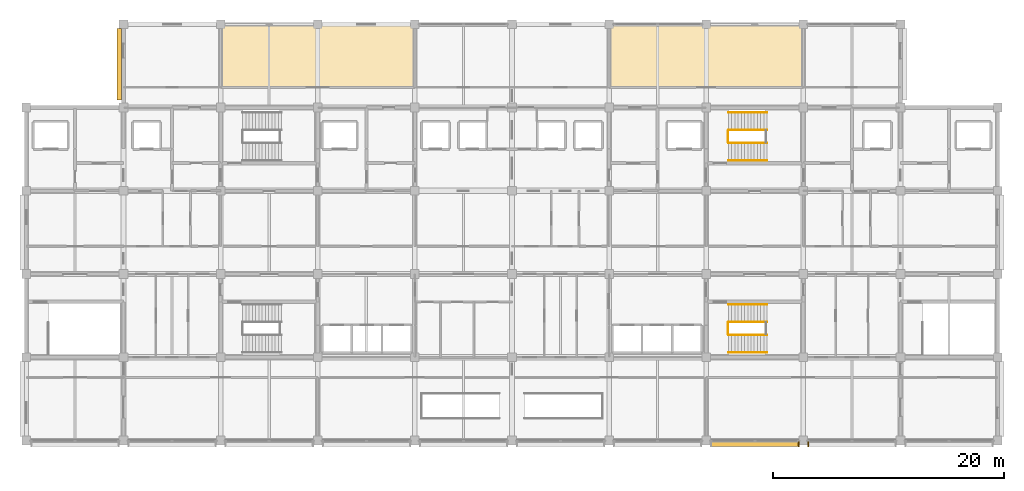
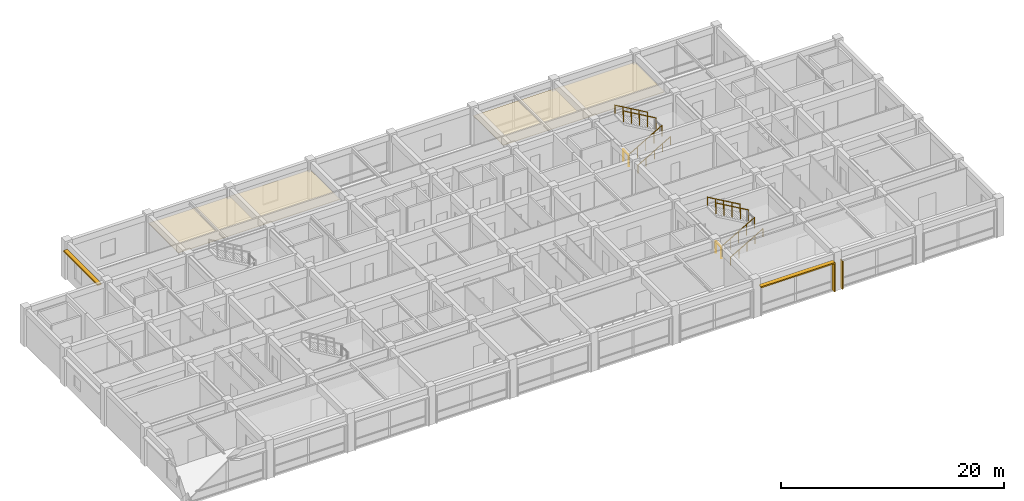
# One storey, part 22 of 23: 10 railings, 4 shading devices, 2 coverings.
"""IFC4 building model written with IfcOpenShell, lengths in metres."""

from ifc_helpers import new_model, si_unit, direction, frame, origin, origin_2d, place, context, subcontext, project, spatial, polyline, rectangle, circle, outline, extrude, material, layer, layer_set, type_object, element, save


model = new_model("IFC4")

# Units and contexts
model_context = context("Model", 3, precision=1e-05, world=origin(), true_north=direction((0.0, 1.0)))
body_context = subcontext(model_context, "Body", "Model", "MODEL_VIEW")
ifc_project = project(units=[si_unit("LENGTHUNIT", "METRE"), si_unit("AREAUNIT", "SQUARE_METRE"), si_unit("VOLUMEUNIT", "CUBIC_METRE"), si_unit("PLANEANGLEUNIT", "RADIAN"), si_unit("MASSUNIT", "GRAM", prefix="KILO")], contexts=[model_context])

# Site, building, storey
site_placement = place(None, origin())
site = spatial("IfcSite", under=ifc_project, at=site_placement, CompositionType="ELEMENT")
building_placement = place(site_placement, origin())
building = spatial("IfcBuilding", under=site, at=building_placement, Name="Chengyuan Square Courthouse", CompositionType="ELEMENT")
storey_placement = place(building_placement, frame((0.0, 0.0, 43.5)))
storey = spatial("IfcBuildingStorey", under=building, at=storey_placement, Name="L10", CompositionType="ELEMENT", Elevation=43.5)

# Coverings
ifc_material_1 = material(Name="Perforated Larch Glulam Acoustic Slat Ceiling", Category="wood")
ifc_layer = layer(ifc_material_1, 0.044921875)
ifc_layer_set = layer_set([ifc_layer], Name="Perforated Larch Glulam Acoustic Slat Ceiling")
covering_type = type_object("IfcCoveringType", Name="CLG-01", PredefinedType="CEILING", material=ifc_layer_set)
covering_1_placement = place(storey_placement, frame((0.0, 0.0, 2.89990234375)))
element("IfcCovering", 1, at=covering_1_placement, inside=storey, type_object=covering_type, Name="Acoustic Timber Slat Ceiling CLG-L10-ACN-07", PredefinedType="CEILING", context=body_context, shape_type="SweptSolid", body=[
    extrude(outline(polyline([(58.85009765625, 109.800048828125), (75.550048828125, 109.800048828125), (75.550048828125, 115.14990234375), (58.85009765625, 115.14990234375), (58.85009765625, 109.800048828125)])), origin(), (0.0, 0.0, 1.0), 0.045166015625),
])
covering_2_placement = place(storey_placement, frame((0.0, 0.0, 2.89990234375)))
element("IfcCovering", 2, at=covering_2_placement, inside=storey, type_object=covering_type, Name="Acoustic Timber Slat Ceiling CLG-L10-ACN-11", PredefinedType="CEILING", context=body_context, shape_type="SweptSolid", body=[
    extrude(outline(polyline([(92.449951171875, 109.800048828125), (109.14990234375, 109.800048828125), (109.14990234375, 115.14990234375), (92.449951171875, 115.14990234375), (92.449951171875, 109.800048828125)])), origin(), (0.0, 0.0, 1.0), 0.045166015625),
])

# Railings
ifc_material_2 = material(Name="Tempered Glass and Timber Top-Rail Balustrade", Category="wood")
railing_type_1 = type_object("IfcRailingType", Name="RL-02", PredefinedType="BALUSTRADE", material=ifc_material_2)
railing_1_placement = place(storey_placement, frame((102.68994140625, 105.0, 0.0)))
element("IfcRailing", 3, at=railing_1_placement, inside=storey, type_object=railing_type_1, Name="Stair Floor Slot Guard ST-2 L10", PredefinedType="BALUSTRADE", context=body_context, shape_type="SweptSolid", body=[
    extrude(circle(Radius=0.02392578125, at=origin_2d()), frame((0.0, 0.0, 1.17578125), z_axis=(0.0, 1.0, 0.0), x_axis=(-1.0, 0.0, 0.0)), (0.0, 0.0, 1.0), 1.0),
    extrude(circle(Radius=0.02099609375, at=origin_2d()), origin(), (0.0, 0.0, 1.0), 1.15185546875),
    extrude(circle(Radius=0.02099609375, at=origin_2d()), frame((0.0, 1.0, 0.0)), (0.0, 0.0, 1.0), 1.15185546875),
])
railing_2_placement = place(storey_placement, frame((102.7099609375, 104.949951171875, 0.16162109375)))
element("IfcRailing", 4, at=railing_2_placement, inside=storey, type_object=railing_type_1, Name="Stair Flight 1 Guard ST-2-L10", PredefinedType="BALUSTRADE", context=body_context, shape_type="SweptSolid", body=[
    extrude(circle(Radius=0.02392578125, at=origin_2d()), frame((0.0, 0.0, 1.17578125), z_axis=(0.866190824863, 0.0, 0.499713372768), x_axis=(0.0, 1.0, 0.0)), (0.0, 0.0, 1.0), 3.879150390625),
    extrude(circle(Radius=0.02099609375, at=origin_2d()), origin(), (0.0, 0.0, 1.0), 1.15185546875),
    extrude(circle(Radius=0.02099609375, at=origin_2d()), frame((0.840087890625, 0.0, 0.484619140625)), (0.0, 0.0, 1.0), 1.15185546875),
    extrude(circle(Radius=0.02099609375, at=origin_2d()), frame((1.68017578125, 0.0, 0.96923828125)), (0.0, 0.0, 1.0), 1.15185546875),
    extrude(circle(Radius=0.02099609375, at=origin_2d()), frame((2.52001953125, 0.0, 1.453857421875)), (0.0, 0.0, 1.0), 1.15185546875),
    extrude(circle(Radius=0.02099609375, at=origin_2d()), frame((3.360107421875, 0.0, 1.9384765625)), (0.0, 0.0, 1.0), 1.15185546875),
])
railing_3_placement = place(storey_placement, frame((106.070068359375, 106.050048828125, 2.261474609375)))
element("IfcRailing", 5, at=railing_3_placement, inside=storey, type_object=railing_type_1, Name="Stair Flight 2 Guard ST-2-L10", PredefinedType="BALUSTRADE", context=body_context, shape_type="SweptSolid", body=[
    extrude(circle(Radius=0.02392578125, at=origin_2d()), frame((0.0, 0.0, 1.17578125), z_axis=(-0.866190824863, 0.0, 0.499713372768), x_axis=(0.0, -1.0, 0.0)), (0.0, 0.0, 1.0), 3.879150390625),
    extrude(circle(Radius=0.02099609375, at=origin_2d()), origin(), (0.0, 0.0, 1.0), 1.15185546875),
    extrude(circle(Radius=0.02099609375, at=origin_2d()), frame((-0.840087890625, 0.0, 0.484619140625)), (0.0, 0.0, 1.0), 1.15185546875),
    extrude(circle(Radius=0.02099609375, at=origin_2d()), frame((-1.68017578125, 0.0, 0.96923828125)), (0.0, 0.0, 1.0), 1.15185546875),
    extrude(circle(Radius=0.02099609375, at=origin_2d()), frame((-2.52001953125, 0.0, 1.453857421875)), (0.0, 0.0, 1.0), 1.15185546875),
    extrude(circle(Radius=0.02099609375, at=origin_2d()), frame((-3.360107421875, 0.0, 1.9384765625)), (0.0, 0.0, 1.0), 1.15185546875),
])
railing_4_placement = place(storey_placement, frame((102.68994140625, 88.39990234375, 0.0)))
element("IfcRailing", 6, at=railing_4_placement, inside=storey, type_object=railing_type_1, Name="Stair Floor Slot Guard ST-4 L10", PredefinedType="BALUSTRADE", context=body_context, shape_type="SweptSolid", body=[
    extrude(circle(Radius=0.02392578125, at=origin_2d()), frame((0.0, 0.0, 1.17578125), z_axis=(0.0, 1.0, 0.0), x_axis=(-1.0, 0.0, 0.0)), (0.0, 0.0, 1.0), 1.0),
    extrude(circle(Radius=0.02099609375, at=origin_2d()), origin(), (0.0, 0.0, 1.0), 1.15185546875),
    extrude(circle(Radius=0.02099609375, at=origin_2d()), frame((0.0, 1.0, 0.0)), (0.0, 0.0, 1.0), 1.15185546875),
])
railing_5_placement = place(storey_placement, frame((102.7099609375, 88.35009765625, 0.16162109375)))
element("IfcRailing", 7, at=railing_5_placement, inside=storey, type_object=railing_type_1, Name="Stair Flight 1 Guard ST-4-L10", PredefinedType="BALUSTRADE", context=body_context, shape_type="SweptSolid", body=[
    extrude(circle(Radius=0.02392578125, at=origin_2d()), frame((0.0, 0.0, 1.17578125), z_axis=(0.866190824863, 0.0, 0.499713372768), x_axis=(0.0, 1.0, 0.0)), (0.0, 0.0, 1.0), 3.879150390625),
    extrude(circle(Radius=0.02099609375, at=origin_2d()), origin(), (0.0, 0.0, 1.0), 1.15185546875),
    extrude(circle(Radius=0.02099609375, at=origin_2d()), frame((0.840087890625, 0.0, 0.484619140625)), (0.0, 0.0, 1.0), 1.15185546875),
    extrude(circle(Radius=0.02099609375, at=origin_2d()), frame((1.68017578125, 0.0, 0.96923828125)), (0.0, 0.0, 1.0), 1.15185546875),
    extrude(circle(Radius=0.02099609375, at=origin_2d()), frame((2.52001953125, 0.0, 1.453857421875)), (0.0, 0.0, 1.0), 1.15185546875),
    extrude(circle(Radius=0.02099609375, at=origin_2d()), frame((3.360107421875, 0.0, 1.9384765625)), (0.0, 0.0, 1.0), 1.15185546875),
])
railing_6_placement = place(storey_placement, frame((106.070068359375, 89.449951171875, 2.261474609375)))
element("IfcRailing", 8, at=railing_6_placement, inside=storey, type_object=railing_type_1, Name="Stair Flight 2 Guard ST-4-L10", PredefinedType="BALUSTRADE", context=body_context, shape_type="SweptSolid", body=[
    extrude(circle(Radius=0.02392578125, at=origin_2d()), frame((0.0, 0.0, 1.17578125), z_axis=(-0.866190824863, 0.0, 0.499713372768), x_axis=(0.0, -1.0, 0.0)), (0.0, 0.0, 1.0), 3.879150390625),
    extrude(circle(Radius=0.02099609375, at=origin_2d()), origin(), (0.0, 0.0, 1.0), 1.15185546875),
    extrude(circle(Radius=0.02099609375, at=origin_2d()), frame((-0.840087890625, 0.0, 0.484619140625)), (0.0, 0.0, 1.0), 1.15185546875),
    extrude(circle(Radius=0.02099609375, at=origin_2d()), frame((-1.68017578125, 0.0, 0.96923828125)), (0.0, 0.0, 1.0), 1.15185546875),
    extrude(circle(Radius=0.02099609375, at=origin_2d()), frame((-2.52001953125, 0.0, 1.453857421875)), (0.0, 0.0, 1.0), 1.15185546875),
    extrude(circle(Radius=0.02099609375, at=origin_2d()), frame((-3.360107421875, 0.0, 1.9384765625)), (0.0, 0.0, 1.0), 1.15185546875),
])
ifc_material_3 = material(Name="Stainless Steel S30408 Stair Handrail", Category="steel")
railing_type_2 = type_object("IfcRailingType", Name="RL-04", PredefinedType="HANDRAIL", material=ifc_material_3)
railing_7_placement = place(storey_placement, frame((102.7099609375, 103.419921875, 0.16162109375)))
element("IfcRailing", 9, at=railing_7_placement, inside=storey, type_object=railing_type_2, Name="Stair Flight 1 Handrail ST-2-L10", PredefinedType="HANDRAIL", context=body_context, shape_type="SweptSolid", body=[
    extrude(circle(Radius=0.02392578125, at=origin_2d()), frame((0.0, 0.0, 0.8759765625), z_axis=(0.866190824863, 0.0, 0.499713372768), x_axis=(0.0, 1.0, 0.0)), (0.0, 0.0, 1.0), 3.879150390625),
    extrude(circle(Radius=0.02099609375, at=origin_2d()), origin(), (0.0, 0.0, 1.0), 0.851806640625),
    extrude(circle(Radius=0.02099609375, at=origin_2d()), frame((0.840087890625, 0.0, 0.484619140625)), (0.0, 0.0, 1.0), 0.851806640625),
    extrude(circle(Radius=0.02099609375, at=origin_2d()), frame((1.68017578125, 0.0, 0.96923828125)), (0.0, 0.0, 1.0), 0.851806640625),
    extrude(circle(Radius=0.02099609375, at=origin_2d()), frame((2.52001953125, 0.0, 1.453857421875)), (0.0, 0.0, 1.0), 0.851806640625),
    extrude(circle(Radius=0.02099609375, at=origin_2d()), frame((3.360107421875, 0.0, 1.9384765625)), (0.0, 0.0, 1.0), 0.851806640625),
])
railing_8_placement = place(storey_placement, frame((106.070068359375, 107.580078125, 2.261474609375)))
element("IfcRailing", 10, at=railing_8_placement, inside=storey, type_object=railing_type_2, Name="Stair Flight 2 Handrail ST-2-L10", PredefinedType="HANDRAIL", context=body_context, shape_type="SweptSolid", body=[
    extrude(circle(Radius=0.02392578125, at=origin_2d()), frame((0.0, 0.0, 0.8759765625), z_axis=(-0.866190824863, 0.0, 0.499713372768), x_axis=(0.0, -1.0, 0.0)), (0.0, 0.0, 1.0), 3.879150390625),
    extrude(circle(Radius=0.02099609375, at=origin_2d()), origin(), (0.0, 0.0, 1.0), 0.851806640625),
    extrude(circle(Radius=0.02099609375, at=origin_2d()), frame((-0.840087890625, 0.0, 0.484619140625)), (0.0, 0.0, 1.0), 0.851806640625),
    extrude(circle(Radius=0.02099609375, at=origin_2d()), frame((-1.68017578125, 0.0, 0.96923828125)), (0.0, 0.0, 1.0), 0.851806640625),
    extrude(circle(Radius=0.02099609375, at=origin_2d()), frame((-2.52001953125, 0.0, 1.453857421875)), (0.0, 0.0, 1.0), 0.851806640625),
    extrude(circle(Radius=0.02099609375, at=origin_2d()), frame((-3.360107421875, 0.0, 1.9384765625)), (0.0, 0.0, 1.0), 0.851806640625),
])
railing_9_placement = place(storey_placement, frame((102.7099609375, 86.820068359375, 0.16162109375)))
element("IfcRailing", 11, at=railing_9_placement, inside=storey, type_object=railing_type_2, Name="Stair Flight 1 Handrail ST-4-L10", PredefinedType="HANDRAIL", context=body_context, shape_type="SweptSolid", body=[
    extrude(circle(Radius=0.02392578125, at=origin_2d()), frame((0.0, 0.0, 0.8759765625), z_axis=(0.866190824863, 0.0, 0.499713372768), x_axis=(0.0, 1.0, 0.0)), (0.0, 0.0, 1.0), 3.879150390625),
    extrude(circle(Radius=0.02099609375, at=origin_2d()), origin(), (0.0, 0.0, 1.0), 0.851806640625),
    extrude(circle(Radius=0.02099609375, at=origin_2d()), frame((0.840087890625, 0.0, 0.484619140625)), (0.0, 0.0, 1.0), 0.851806640625),
    extrude(circle(Radius=0.02099609375, at=origin_2d()), frame((1.68017578125, 0.0, 0.96923828125)), (0.0, 0.0, 1.0), 0.851806640625),
    extrude(circle(Radius=0.02099609375, at=origin_2d()), frame((2.52001953125, 0.0, 1.453857421875)), (0.0, 0.0, 1.0), 0.851806640625),
    extrude(circle(Radius=0.02099609375, at=origin_2d()), frame((3.360107421875, 0.0, 1.9384765625)), (0.0, 0.0, 1.0), 0.851806640625),
])
railing_10_placement = place(storey_placement, frame((106.070068359375, 90.97998046875, 2.261474609375)))
element("IfcRailing", 12, at=railing_10_placement, inside=storey, type_object=railing_type_2, Name="Stair Flight 2 Handrail ST-4-L10", PredefinedType="HANDRAIL", context=body_context, shape_type="SweptSolid", body=[
    extrude(circle(Radius=0.02392578125, at=origin_2d()), frame((0.0, 0.0, 0.8759765625), z_axis=(-0.866190824863, 0.0, 0.499713372768), x_axis=(0.0, -1.0, 0.0)), (0.0, 0.0, 1.0), 3.879150390625),
    extrude(circle(Radius=0.02099609375, at=origin_2d()), origin(), (0.0, 0.0, 1.0), 0.851806640625),
    extrude(circle(Radius=0.02099609375, at=origin_2d()), frame((-0.840087890625, 0.0, 0.484619140625)), (0.0, 0.0, 1.0), 0.851806640625),
    extrude(circle(Radius=0.02099609375, at=origin_2d()), frame((-1.68017578125, 0.0, 0.96923828125)), (0.0, 0.0, 1.0), 0.851806640625),
    extrude(circle(Radius=0.02099609375, at=origin_2d()), frame((-2.52001953125, 0.0, 1.453857421875)), (0.0, 0.0, 1.0), 0.851806640625),
    extrude(circle(Radius=0.02099609375, at=origin_2d()), frame((-3.360107421875, 0.0, 1.9384765625)), (0.0, 0.0, 1.0), 0.851806640625),
])

# Shading devices
ifc_material_4 = material(Name="Glulam TCt28 Solar Shading Fin", Category="wood")
shading_device_type_1 = type_object("IfcShadingDeviceType", Name="SHD-01", PredefinedType="JALOUSIE", material=ifc_material_4)
for number, where, z_axis, x_axis, name in (
    (13, (108.784912109375, 78.887939453125, 0.0400390625), (0.0, 0.0, 1.0), (0.0, 1.0, 0.0), "Glulam Solar Fin SHD-L10-0780"),
    (14, (109.614990234375, 78.887939453125, 0.0400390625), (0.0, 0.0, 1.0), (0.0, 1.0, 0.0), "Glulam Solar Fin SHD-L10-0782"),
):
    element("IfcShadingDevice", number, at=place(storey_placement, frame(where, z_axis=z_axis, x_axis=x_axis)), inside=storey, type_object=shading_device_type_1, Name=name, PredefinedType="JALOUSIE", context=body_context, shape_type="SweptSolid", body=[
        extrude(rectangle(XDim=0.419921875, YDim=0.094970703125, at=origin_2d()), origin(), (0.0, 0.0, 1.0), 3.090087890625),
    ])
ifc_material_5 = material(Name="Glulam TCt28 Sunshade Louvre", Category="wood")
shading_device_type_2 = type_object("IfcShadingDeviceType", Name="SHD-02", PredefinedType="AWNING", material=ifc_material_5)
shading_device_1_placement = place(storey_placement, frame((105.0, 78.887939453125, 3.1298828125), z_axis=(0.0, 0.0, 1.0), x_axis=(1.0, 0.0, 0.0)))
element("IfcShadingDevice", 15, at=shading_device_1_placement, inside=storey, type_object=shading_device_type_2, Name="Glulam Sunshade Louvre SHD-L10-0781", PredefinedType="AWNING", context=body_context, shape_type="SweptSolid", body=[
    extrude(rectangle(XDim=7.64990234375, YDim=0.43994140625, at=origin_2d()), origin(), (0.0, 0.0, 1.0), 0.139892578125),
])
ifc_material_6 = material(Name="Glulam TCt28 Facade Sunshade", Category="wood")
shading_device_type_3 = type_object("IfcShadingDeviceType", Name="SHD-03", PredefinedType="AWNING", material=ifc_material_6)
shading_device_2_placement = place(storey_placement, frame((50.048095703125, 111.75, 3.16015625), z_axis=(0.0, 0.0, 1.0), x_axis=(0.0, 1.0, 0.0)))
element("IfcShadingDevice", 16, at=shading_device_2_placement, inside=storey, type_object=shading_device_type_3, Name="Glulam Facade Sunshade SHD-L10-0763", PredefinedType="AWNING", context=body_context, shape_type="SweptSolid", body=[
    extrude(rectangle(XDim=6.159912109375, YDim=0.39990234375, at=origin_2d()), origin(), (0.0, 0.0, 1.0), 0.139892578125),
])

save(model, "model.ifc")
